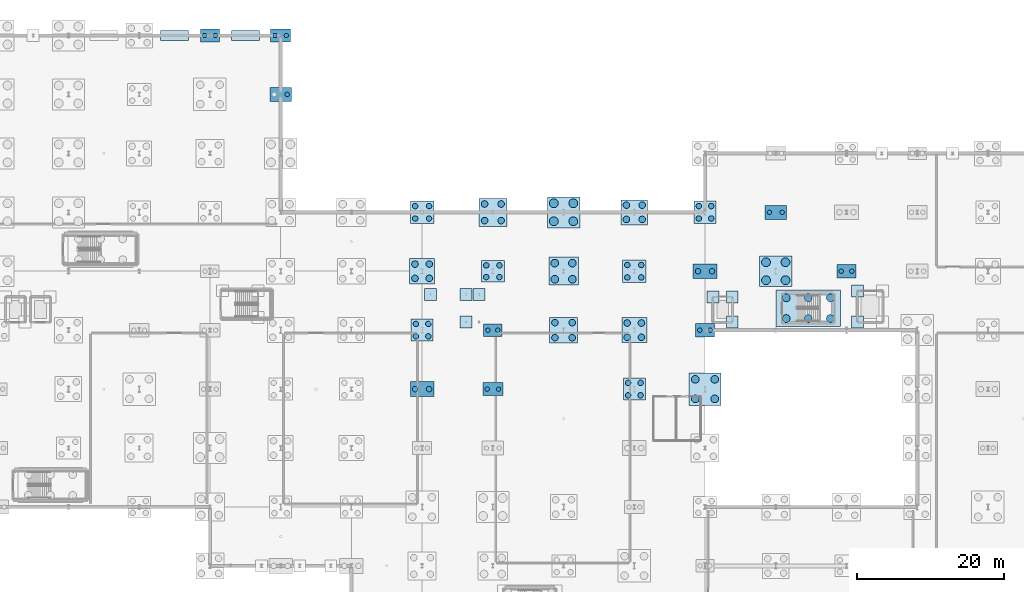
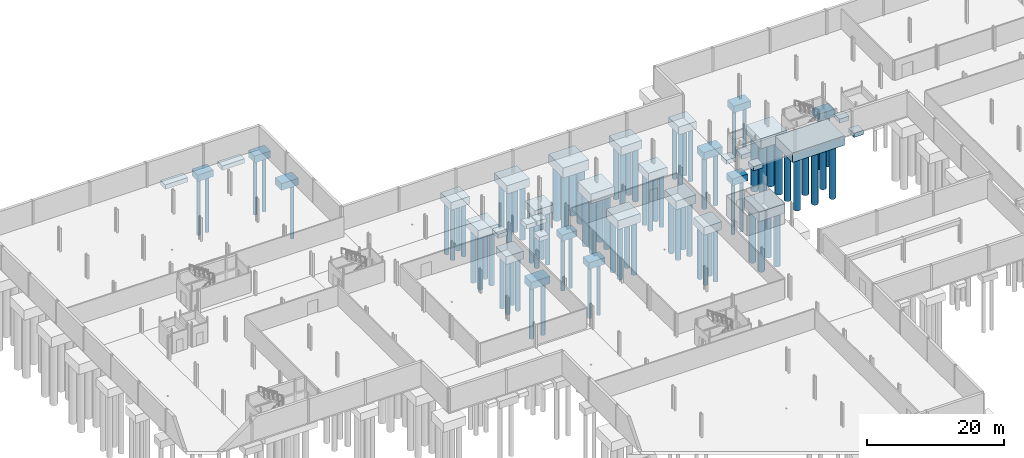
# One storey, part 5 of 47: 85 piles, 37 footings.
"""IFC4 building model written with IfcOpenShell, lengths in metres."""

from ifc_helpers import new_model, si_unit, direction, frame, origin, origin_2d, place, context, subcontext, project, spatial, rectangle, circle, extrude, material, material_profile, profile_set, type_object, element, save


model = new_model("IFC4")

# Units and contexts
model_context = context("Model", 3, precision=1e-05, world=origin(), true_north=direction((0.0, 1.0)))
body_context = subcontext(model_context, "Body", "Model", "MODEL_VIEW")
ifc_project = project(units=[si_unit("LENGTHUNIT", "METRE"), si_unit("AREAUNIT", "SQUARE_METRE"), si_unit("VOLUMEUNIT", "CUBIC_METRE"), si_unit("PLANEANGLEUNIT", "RADIAN"), si_unit("MASSUNIT", "GRAM", prefix="KILO")], contexts=[model_context])

# Site, building, storey
site_placement = place(None, origin())
site = spatial("IfcSite", under=ifc_project, at=site_placement, CompositionType="ELEMENT")
building_placement = place(site_placement, origin())
building = spatial("IfcBuilding", under=site, at=building_placement, Name="Alderhovde Museum", CompositionType="ELEMENT")
storey_placement = place(building_placement, frame((0.0, 0.0, -4.5)))
storey = spatial("IfcBuildingStorey", under=building, at=storey_placement, Name="B1", CompositionType="ELEMENT", Elevation=-4.5)

# Footings
ifc_material_1 = material(Name="Concrete C40/50", Category="concrete")
footing_type_1 = type_object("IfcFootingType", Name="PC-2500x1700x1100", PredefinedType="PILE_CAP", material=ifc_material_1)
footing_1_placement = place(storey_placement, frame((86.39990234375, 72.0, -1.5), z_axis=(0.0, 0.0, 1.0), x_axis=(1.0, 0.0, 0.0)))
element("IfcFooting", 1, at=footing_1_placement, inside=storey, type_object=footing_type_1, Name="Pile Cap at (86.4, 72.0)", PredefinedType="PILE_CAP", context=body_context, shape_type="SweptSolid", body=[
    extrude(rectangle(XDim=2.5, YDim=1.699951171875, at=origin_2d()), origin(), (0.0, 0.0, 1.0), 1.10009765625),
])
ifc_material_2 = material(Name="Concrete C40/50", Category="concrete")
footing_type_2 = type_object("IfcFootingType", Name="PC-2600x1800x1200", PredefinedType="PILE_CAP", material=ifc_material_2)
for number, where, z_axis, x_axis, name in (
    (2, (48.0, 112.0, -1.60009765625), (0.0, 0.0, 1.0), (1.0, 0.0, 0.0), "Pile Cap at (48.0, 112.0)"),
    (3, (115.199951171875, 72.0, -1.60009765625), (0.0, 0.0, 1.0), (1.0, 0.0, 0.0), "Pile Cap at (115.2, 72.0)"),
    (4, (134.39990234375, 80.0, -1.60009765625), (0.0, 0.0, 1.0), (1.0, 0.0, 0.0), "Pile Cap at (134.4, 80.0)"),
):
    element("IfcFooting", number, at=place(storey_placement, frame(where, z_axis=z_axis, x_axis=x_axis)), inside=storey, type_object=footing_type_2, Name=name, PredefinedType="PILE_CAP", context=body_context, shape_type="SweptSolid", body=[
        extrude(rectangle(XDim=2.60009765625, YDim=1.800048828125, at=origin_2d()), origin(), (0.0, 0.0, 1.0), 1.199951171875),
    ])
ifc_material_3 = material(Name="Concrete C40/50", Category="concrete")
footing_type_3 = type_object("IfcFootingType", Name="PC-2700x1800x1200", PredefinedType="PILE_CAP", material=ifc_material_3)
for number, where, z_axis, x_axis, name in (
    (5, (57.60009765625, 112.0, -1.60009765625), (0.0, 0.0, 1.0), (1.0, 0.0, 0.0), "Pile Cap at (57.6, 112.0)"),
    (6, (86.39990234375, 64.0, -1.60009765625), (0.0, 0.0, 1.0), (1.0, 0.0, 0.0), "Pile Cap at (86.4, 64.0)"),
):
    element("IfcFooting", number, at=place(storey_placement, frame(where, z_axis=z_axis, x_axis=x_axis)), inside=storey, type_object=footing_type_3, Name=name, PredefinedType="PILE_CAP", context=body_context, shape_type="SweptSolid", body=[
        extrude(rectangle(XDim=2.699951171875, YDim=1.800048828125, at=origin_2d()), origin(), (0.0, 0.0, 1.0), 1.199951171875),
    ])
ifc_material_4 = material(Name="Concrete C40/50", Category="concrete")
footing_type_4 = type_object("IfcFootingType", Name="PC-2900x1900x1200", PredefinedType="PILE_CAP", material=ifc_material_4)
for number, where, z_axis, x_axis, name in (
    (7, (57.60009765625, 104.0, -1.60009765625), (0.0, 0.0, 1.0), (1.0, 0.0, 0.0), "Pile Cap at (57.6, 104.0)"),
    (8, (124.800048828125, 88.0, -1.60009765625), (0.0, 0.0, 1.0), (1.0, 0.0, 0.0), "Pile Cap at (124.8, 88.0)"),
):
    element("IfcFooting", number, at=place(storey_placement, frame(where, z_axis=z_axis, x_axis=x_axis)), inside=storey, type_object=footing_type_4, Name=name, PredefinedType="PILE_CAP", context=body_context, shape_type="SweptSolid", body=[
        extrude(rectangle(XDim=2.89990234375, YDim=1.89990234375, at=origin_2d()), origin(), (0.0, 0.0, 1.0), 1.199951171875),
    ])
ifc_material_5 = material(Name="Concrete C40/50", Category="concrete")
footing_type_5 = type_object("IfcFootingType", Name="PC-3000x3000x1400", PredefinedType="PILE_CAP", material=ifc_material_5)
for number, where, z_axis, x_axis, name in (
    (9, (76.800048828125, 72.0, -1.800048828125), (0.0, 0.0, 1.0), (1.0, 0.0, 0.0), "Pile Cap at (76.8, 72.0)"),
    (10, (105.60009765625, 64.0, -1.800048828125), (0.0, 0.0, 1.0), (1.0, 0.0, 0.0), "Pile Cap at (105.6, 64.0)"),
    (11, (115.199951171875, 88.0, -1.800048828125), (0.0, 0.0, 1.0), (1.0, 0.0, 0.0), "Pile Cap at (115.2, 88.0)"),
):
    element("IfcFooting", number, at=place(storey_placement, frame(where, z_axis=z_axis, x_axis=x_axis)), inside=storey, type_object=footing_type_5, Name=name, PredefinedType="PILE_CAP", context=body_context, shape_type="SweptSolid", body=[
        extrude(rectangle(XDim=3.0, YDim=3.0, at=origin_2d()), origin(), (0.0, 0.0, 1.0), 1.39990234375),
    ])
ifc_material_6 = material(Name="Concrete C40/50", Category="concrete")
footing_type_6 = type_object("IfcFootingType", Name="PC-3100x2900x1350", PredefinedType="PILE_CAP", material=ifc_material_6)
footing_2_placement = place(storey_placement, frame((86.39990234375, 80.0, -1.75), z_axis=(0.0, 0.0, 1.0), x_axis=(1.0, 0.0, 0.0)))
element("IfcFooting", 12, at=footing_2_placement, inside=storey, type_object=footing_type_6, Name="Pile Cap at (86.4, 80.0)", PredefinedType="PILE_CAP", context=body_context, shape_type="SweptSolid", body=[
    extrude(rectangle(XDim=3.10009765625, YDim=2.89990234375, at=origin_2d()), origin(), (0.0, 0.0, 1.0), 1.35009765625),
])
ifc_material_7 = material(Name="Concrete C40/50", Category="concrete")
footing_type_7 = type_object("IfcFootingType", Name="PC-3200x2000x1300", PredefinedType="PILE_CAP", material=ifc_material_7)
for number, where, z_axis, x_axis, name in (
    (13, (76.800048828125, 64.0, -1.7001953125), (0.0, 0.0, 1.0), (1.0, 0.0, 0.0), "Pile Cap at (76.8, 64.0)"),
    (14, (115.199951171875, 80.0, -1.7001953125), (0.0, 0.0, 1.0), (1.0, 0.0, 0.0), "Pile Cap at (115.2, 80.0)"),
):
    element("IfcFooting", number, at=place(storey_placement, frame(where, z_axis=z_axis, x_axis=x_axis)), inside=storey, type_object=footing_type_7, Name=name, PredefinedType="PILE_CAP", context=body_context, shape_type="SweptSolid", body=[
        extrude(rectangle(XDim=3.199951171875, YDim=2.0, at=origin_2d()), origin(), (0.0, 0.0, 1.0), 1.300048828125),
    ])
ifc_material_8 = material(Name="Concrete C40/50", Category="concrete")
footing_type_8 = type_object("IfcFootingType", Name="PC-3200x3000x1400", PredefinedType="PILE_CAP", material=ifc_material_8)
for number, where, z_axis, x_axis, name in (
    (15, (76.800048828125, 88.0, -1.800048828125), (0.0, 0.0, 1.0), (1.0, 0.0, 0.0), "Pile Cap at (76.8, 88.0)"),
    (16, (105.60009765625, 80.0, -1.800048828125), (0.0, 0.0, 1.0), (1.0, 0.0, 0.0), "Pile Cap at (105.6, 80.0)"),
):
    element("IfcFooting", number, at=place(storey_placement, frame(where, z_axis=z_axis, x_axis=x_axis)), inside=storey, type_object=footing_type_8, Name=name, PredefinedType="PILE_CAP", context=body_context, shape_type="SweptSolid", body=[
        extrude(rectangle(XDim=3.199951171875, YDim=3.0, at=origin_2d()), origin(), (0.0, 0.0, 1.0), 1.39990234375),
    ])
ifc_material_9 = material(Name="Concrete C40/50", Category="concrete")
footing_type_9 = type_object("IfcFootingType", Name="PC-3400x3400x1500", PredefinedType="PILE_CAP", material=ifc_material_9)
for number, where, z_axis, x_axis, name in (
    (17, (76.800048828125, 80.0, -1.89990234375), (0.0, 0.0, 1.0), (1.0, 0.0, 0.0), "Pile Cap at (76.8, 80.0)"),
    (18, (105.60009765625, 72.0, -1.89990234375), (0.0, 0.0, 1.0), (1.0, 0.0, 0.0), "Pile Cap at (105.6, 72.0)"),
):
    element("IfcFooting", number, at=place(storey_placement, frame(where, z_axis=z_axis, x_axis=x_axis)), inside=storey, type_object=footing_type_9, Name=name, PredefinedType="PILE_CAP", context=body_context, shape_type="SweptSolid", body=[
        extrude(rectangle(XDim=3.39990234375, YDim=3.39990234375, at=origin_2d()), origin(), (0.0, 0.0, 1.0), 1.5),
    ])
ifc_material_10 = material(Name="Concrete C40/50", Category="concrete")
footing_type_10 = type_object("IfcFootingType", Name="PC-3600x3400x1500", PredefinedType="PILE_CAP", material=ifc_material_10)
footing_3_placement = place(storey_placement, frame((105.60009765625, 88.0, -1.89990234375), z_axis=(0.0, 0.0, 1.0), x_axis=(1.0, 0.0, 0.0)))
element("IfcFooting", 19, at=footing_3_placement, inside=storey, type_object=footing_type_10, Name="Pile Cap at (105.6, 88.0)", PredefinedType="PILE_CAP", context=body_context, shape_type="SweptSolid", body=[
    extrude(rectangle(XDim=3.60009765625, YDim=3.39990234375, at=origin_2d()), origin(), (0.0, 0.0, 1.0), 1.5),
])
ifc_material_11 = material(Name="Concrete C40/50", Category="concrete")
footing_type_11 = type_object("IfcFootingType", Name="PC-3800x3500x1600", PredefinedType="PILE_CAP", material=ifc_material_11)
footing_4_placement = place(storey_placement, frame((96.0, 72.0, -2.0), z_axis=(0.0, 0.0, 1.0), x_axis=(1.0, 0.0, 0.0)))
element("IfcFooting", 20, at=footing_4_placement, inside=storey, type_object=footing_type_11, Name="Pile Cap at (96.0, 72.0)", PredefinedType="PILE_CAP", context=body_context, shape_type="SweptSolid", body=[
    extrude(rectangle(XDim=3.800048828125, YDim=3.5, at=origin_2d()), origin(), (0.0, 0.0, 1.0), 1.60009765625),
])
ifc_material_12 = material(Name="Concrete C40/50", Category="concrete")
footing_type_12 = type_object("IfcFootingType", Name="PC-3800x3800x1450", PredefinedType="PILE_CAP", material=ifc_material_12)
footing_5_placement = place(storey_placement, frame((86.39990234375, 88.0, -1.85009765625), z_axis=(0.0, 0.0, 1.0), x_axis=(1.0, 0.0, 0.0)))
element("IfcFooting", 21, at=footing_5_placement, inside=storey, type_object=footing_type_12, Name="Pile Cap at (86.4, 88.0)", PredefinedType="PILE_CAP", context=body_context, shape_type="SweptSolid", body=[
    extrude(rectangle(XDim=3.800048828125, YDim=3.800048828125, at=origin_2d()), origin(), (0.0, 0.0, 1.0), 1.449951171875),
])
ifc_material_13 = material(Name="Concrete C40/50", Category="concrete")
footing_type_13 = type_object("IfcFootingType", Name="PC-4000x3800x1700", PredefinedType="PILE_CAP", material=ifc_material_13)
footing_6_placement = place(storey_placement, frame((96.0, 80.0, -2.10009765625), z_axis=(0.0, 0.0, 1.0), x_axis=(1.0, 0.0, 0.0)))
element("IfcFooting", 22, at=footing_6_placement, inside=storey, type_object=footing_type_13, Name="Pile Cap at (96.0, 80.0)", PredefinedType="PILE_CAP", context=body_context, shape_type="SweptSolid", body=[
    extrude(rectangle(XDim=4.0, YDim=3.800048828125, at=origin_2d()), origin(), (0.0, 0.0, 1.0), 1.699951171875),
])
ifc_material_14 = material(Name="Concrete C40/50", Category="concrete")
footing_type_14 = type_object("IfcFootingType", Name="PC-4400x4200x1800", PredefinedType="PILE_CAP", material=ifc_material_14)
for number, where, z_axis, x_axis, name in (
    (23, (96.0, 88.0, -2.2001953125), (0.0, 0.0, 1.0), (1.0, 0.0, 0.0), "Pile Cap at (96.0, 88.0)"),
    (24, (124.800048828125, 80.0, -2.2001953125), (0.0, 0.0, 1.0), (1.0, 0.0, 0.0), "Pile Cap at (124.8, 80.0)"),
):
    element("IfcFooting", number, at=place(storey_placement, frame(where, z_axis=z_axis, x_axis=x_axis)), inside=storey, type_object=footing_type_14, Name=name, PredefinedType="PILE_CAP", context=body_context, shape_type="SweptSolid", body=[
        extrude(rectangle(XDim=4.39990234375, YDim=4.199951171875, at=origin_2d()), origin(), (0.0, 0.0, 1.0), 1.800048828125),
    ])
ifc_material_15 = material(Name="Concrete C40/50", Category="concrete")
footing_type_15 = type_object("IfcFootingType", Name="PC-4400x4400x1650", PredefinedType="PILE_CAP", material=ifc_material_15)
footing_7_placement = place(storey_placement, frame((115.199951171875, 64.0, -2.050048828125), z_axis=(0.0, 0.0, 1.0), x_axis=(1.0, 0.0, 0.0)))
element("IfcFooting", 25, at=footing_7_placement, inside=storey, type_object=footing_type_15, Name="Pile Cap at (115.2, 64.0)", PredefinedType="PILE_CAP", context=body_context, shape_type="SweptSolid", body=[
    extrude(rectangle(XDim=4.39990234375, YDim=4.39990234375, at=origin_2d()), origin(), (0.0, 0.0, 1.0), 1.64990234375),
])
ifc_material_16 = material(Name="Concrete C40/50", Category="concrete")
footing_type_16 = type_object("IfcFootingType", Name="PC-CORE-8800x5000x1700", PredefinedType="PILE_CAP", material=ifc_material_16)
footing_8_placement = place(storey_placement, frame((129.219970703125, 74.97998046875, -2.10009765625), z_axis=(0.0, 0.0, 1.0), x_axis=(1.0, 0.0, 0.0)))
element("IfcFooting", 26, at=footing_8_placement, inside=storey, type_object=footing_type_16, Name="Core Pile Cap ST4", PredefinedType="PILE_CAP", context=body_context, shape_type="SweptSolid", body=[
    extrude(rectangle(XDim=8.800048828125, YDim=5.0, at=origin_2d()), origin(), (0.0, 0.0, 1.0), 1.699951171875),
])
ifc_material_17 = material(Name="Concrete C40/50", Category="concrete")
footing_type_17 = type_object("IfcFootingType", Name="PF-1600x1600x750", PredefinedType="PAD_FOOTING", material=ifc_material_17)
for number, where, z_axis, x_axis, name in (
    (27, (84.52001953125, 76.840087890625, -1.14990234375), (0.0, 0.0, 1.0), (1.0, 0.0, 0.0), "Stair ST5 Shaft Footing 3"),
    (28, (77.919921875, 76.840087890625, -1.14990234375), (0.0, 0.0, 1.0), (1.0, 0.0, 0.0), "Stair ST5 Shaft Footing 4"),
    (29, (82.760009765625, 73.1201171875, -1.14990234375), (0.0, 0.0, 1.0), (1.0, 0.0, 0.0), "Stair ST5 Shaft Footing 5"),
    (30, (82.760009765625, 76.840087890625, -1.14990234375), (0.0, 0.0, 1.0), (1.0, 0.0, 0.0), "Stair ST5 Shaft Footing 6"),
    (31, (118.89990234375, 73.10009765625, -1.14990234375), (0.0, 0.0, 1.0), (1.0, 0.0, 0.0), "Lift PL-03 Shaft Post Footing 2"),
    (32, (118.89990234375, 76.5, -1.14990234375), (0.0, 0.0, 1.0), (1.0, 0.0, 0.0), "Lift PL-03 Shaft Post Footing 3"),
    (33, (116.300048828125, 76.5, -1.14990234375), (0.0, 0.0, 1.0), (1.0, 0.0, 0.0), "Lift PL-03 Shaft Post Footing 4"),
    (34, (135.89990234375, 73.10009765625, -1.14990234375), (0.0, 0.0, 1.0), (1.0, 0.0, 0.0), "Lift GL-01 Shaft Post Footing 1"),
    (35, (135.89990234375, 77.300048828125, -1.14990234375), (0.0, 0.0, 1.0), (1.0, 0.0, 0.0), "Lift GL-01 Shaft Post Footing 4"),
):
    element("IfcFooting", number, at=place(storey_placement, frame(where, z_axis=z_axis, x_axis=x_axis)), inside=storey, type_object=footing_type_17, Name=name, PredefinedType="PAD_FOOTING", context=body_context, shape_type="SweptSolid", body=[
        extrude(rectangle(XDim=1.60009765625, YDim=1.60009765625, at=origin_2d()), origin(), (0.0, 0.0, 1.0), 0.75),
    ])

# Piles
ifc_material_18 = material(Name="Concrete C40/50", Category="concrete")
ifc_material_profile_1 = material_profile(ifc_material_18, circle(Radius=0.52490234375, at=origin_2d()), Name="PILE-D1050")
ifc_profile_set_1 = profile_set([ifc_material_profile_1], Name="Concrete C40/50")
pile_type_1 = type_object("IfcPileType", Name="PIL-D1050", PredefinedType="BORED", material=ifc_profile_set_1)
for number, where, z_axis, x_axis, name in (
    (36, (126.219970703125, 73.580078125, -2.0), (0.0, 0.0, -1.0), (1.0, 0.0, 0.0), "Core Bored Pile ST4-P1"),
    (37, (129.219970703125, 73.580078125, -2.0), (0.0, 0.0, -1.0), (1.0, 0.0, 0.0), "Core Bored Pile ST4-P2"),
    (38, (132.219970703125, 73.580078125, -2.0), (0.0, 0.0, -1.0), (1.0, 0.0, 0.0), "Core Bored Pile ST4-P3"),
    (39, (126.219970703125, 76.3798828125, -2.0), (0.0, 0.0, -1.0), (1.0, 0.0, 0.0), "Core Bored Pile ST4-P4"),
    (40, (129.219970703125, 76.3798828125, -2.0), (0.0, 0.0, -1.0), (1.0, 0.0, 0.0), "Core Bored Pile ST4-P5"),
    (41, (132.219970703125, 76.3798828125, -2.0), (0.0, 0.0, -1.0), (1.0, 0.0, 0.0), "Core Bored Pile ST4-P6"),
    (42, (94.804931640625, 78.905029296875, -2.0), (0.0, 0.0, -1.0), (1.0, 0.0, 0.0), "Bored Pile PC-0960-0800-P1"),
    (43, (97.195068359375, 78.905029296875, -2.0), (0.0, 0.0, -1.0), (1.0, 0.0, 0.0), "Bored Pile PC-0960-0800-P2"),
    (44, (94.804931640625, 81.094970703125, -2.0), (0.0, 0.0, -1.0), (1.0, 0.0, 0.0), "Bored Pile PC-0960-0800-P3"),
    (45, (97.195068359375, 81.094970703125, -2.0), (0.0, 0.0, -1.0), (1.0, 0.0, 0.0), "Bored Pile PC-0960-0800-P4"),
):
    element("IfcPile", number, at=place(storey_placement, frame(where, z_axis=z_axis, x_axis=x_axis)), inside=storey, type_object=pile_type_1, Name=name, PredefinedType="BORED", context=body_context, shape_type="SweptSolid", body=[
        extrude(circle(Radius=0.52490234375, at=origin_2d()), origin(), (0.0, 0.0, 1.0), 9.574951171875),
    ])
for number, where, z_axis, x_axis, name in (
    (46, (113.8798828125, 62.679931640625, -1.949951171875), (0.0, 0.0, -1.0), (1.0, 0.0, 0.0), "Bored Pile PC-1152-0640-P1"),
    (47, (116.52001953125, 62.679931640625, -1.949951171875), (0.0, 0.0, -1.0), (1.0, 0.0, 0.0), "Bored Pile PC-1152-0640-P2"),
    (48, (113.8798828125, 65.320068359375, -1.949951171875), (0.0, 0.0, -1.0), (1.0, 0.0, 0.0), "Bored Pile PC-1152-0640-P3"),
    (49, (116.52001953125, 65.320068359375, -1.949951171875), (0.0, 0.0, -1.0), (1.0, 0.0, 0.0), "Bored Pile PC-1152-0640-P4"),
):
    element("IfcPile", number, at=place(storey_placement, frame(where, z_axis=z_axis, x_axis=x_axis)), inside=storey, type_object=pile_type_1, Name=name, PredefinedType="BORED", context=body_context, shape_type="SweptSolid", body=[
        extrude(circle(Radius=0.52490234375, at=origin_2d()), origin(), (0.0, 0.0, 1.0), 9.625),
    ])
ifc_material_19 = material(Name="Concrete C40/50", Category="concrete")
ifc_material_profile_2 = material_profile(ifc_material_19, circle(Radius=0.60009765625, at=origin_2d()), Name="PILE-D1200")
ifc_profile_set_2 = profile_set([ifc_material_profile_2], Name="Concrete C40/50")
pile_type_2 = type_object("IfcPileType", Name="PIL-D1200", PredefinedType="BORED", material=ifc_profile_set_2)
for number, where, z_axis, x_axis, name in (
    (50, (94.679931640625, 86.780029296875, -2.10009765625), (0.0, 0.0, -1.0), (1.0, 0.0, 0.0), "Bored Pile PC-0960-0880-P1"),
    (51, (97.320068359375, 86.780029296875, -2.10009765625), (0.0, 0.0, -1.0), (1.0, 0.0, 0.0), "Bored Pile PC-0960-0880-P2"),
    (52, (94.679931640625, 89.219970703125, -2.10009765625), (0.0, 0.0, -1.0), (1.0, 0.0, 0.0), "Bored Pile PC-0960-0880-P3"),
    (53, (97.320068359375, 89.219970703125, -2.10009765625), (0.0, 0.0, -1.0), (1.0, 0.0, 0.0), "Bored Pile PC-0960-0880-P4"),
    (54, (123.47998046875, 78.780029296875, -2.10009765625), (0.0, 0.0, -1.0), (1.0, 0.0, 0.0), "Bored Pile PC-1248-0800-P1"),
    (55, (126.1201171875, 78.780029296875, -2.10009765625), (0.0, 0.0, -1.0), (1.0, 0.0, 0.0), "Bored Pile PC-1248-0800-P2"),
    (56, (123.47998046875, 81.219970703125, -2.10009765625), (0.0, 0.0, -1.0), (1.0, 0.0, 0.0), "Bored Pile PC-1248-0800-P3"),
    (57, (126.1201171875, 81.219970703125, -2.10009765625), (0.0, 0.0, -1.0), (1.0, 0.0, 0.0), "Bored Pile PC-1248-0800-P4"),
):
    element("IfcPile", number, at=place(storey_placement, frame(where, z_axis=z_axis, x_axis=x_axis)), inside=storey, type_object=pile_type_2, Name=name, PredefinedType="BORED", context=body_context, shape_type="SweptSolid", body=[
        extrude(circle(Radius=0.60009765625, at=origin_2d()), origin(), (0.0, 0.0, 1.0), 9.699951171875),
    ])
ifc_material_20 = material(Name="Concrete C40/50", Category="concrete")
ifc_material_profile_3 = material_profile(ifc_material_20, circle(Radius=0.300048828125, at=origin_2d()), Name="PILE-D600")
ifc_profile_set_3 = profile_set([ifc_material_profile_3], Name="Concrete C40/50")
pile_type_3 = type_object("IfcPileType", Name="PIL-D600", PredefinedType="BORED", material=ifc_profile_set_3)
for number, where, z_axis, x_axis, name in (
    (58, (47.280029296875, 112.0, -1.5), (0.0, 0.0, -1.0), (1.0, 0.0, 0.0), "Bored Pile PC-0480-1120-P1"),
    (59, (48.719970703125, 112.0, -1.5), (0.0, 0.0, -1.0), (1.0, 0.0, 0.0), "Bored Pile PC-0480-1120-P2"),
):
    element("IfcPile", number, at=place(storey_placement, frame(where, z_axis=z_axis, x_axis=x_axis)), inside=storey, type_object=pile_type_3, Name=name, PredefinedType="BORED", context=body_context, shape_type="SweptSolid", body=[
        extrude(circle(Radius=0.300048828125, at=origin_2d()), origin(), (0.0, 0.0, 1.0), 10.263916015625),
    ])
for number, where, z_axis, x_axis, name in (
    (60, (58.469970703125, 104.0, -1.5), (0.0, 0.0, -1.0), (1.0, 0.0, 0.0), "Bored Pile PC-0576-1040-P2"),
    (61, (56.830078125, 112.0, -1.5), (0.0, 0.0, -1.0), (1.0, 0.0, 0.0), "Bored Pile PC-0576-1120-P1"),
    (62, (58.3701171875, 112.0, -1.5), (0.0, 0.0, -1.0), (1.0, 0.0, 0.0), "Bored Pile PC-0576-1120-P2"),
):
    element("IfcPile", number, at=place(storey_placement, frame(where, z_axis=z_axis, x_axis=x_axis)), inside=storey, type_object=pile_type_3, Name=name, PredefinedType="BORED", context=body_context, shape_type="SweptSolid", body=[
        extrude(circle(Radius=0.300048828125, at=origin_2d()), origin(), (0.0, 0.0, 1.0), 9.95703125),
    ])
for number, where, z_axis, x_axis, name in (
    (63, (85.6298828125, 64.0, -1.5), (0.0, 0.0, -1.0), (1.0, 0.0, 0.0), "Bored Pile PC-0864-0640-P1"),
    (64, (87.169921875, 64.0, -1.5), (0.0, 0.0, -1.0), (1.0, 0.0, 0.0), "Bored Pile PC-0864-0640-P2"),
):
    element("IfcPile", number, at=place(storey_placement, frame(where, z_axis=z_axis, x_axis=x_axis)), inside=storey, type_object=pile_type_3, Name=name, PredefinedType="BORED", context=body_context, shape_type="SweptSolid", body=[
        extrude(circle(Radius=0.300048828125, at=origin_2d()), origin(), (0.0, 0.0, 1.0), 9.39990234375),
    ])
for number, where, z_axis, x_axis, name in (
    (65, (85.72998046875, 72.0, -1.39990234375), (0.0, 0.0, -1.0), (1.0, 0.0, 0.0), "Bored Pile PC-0864-0720-P1"),
    (66, (87.070068359375, 72.0, -1.39990234375), (0.0, 0.0, -1.0), (1.0, 0.0, 0.0), "Bored Pile PC-0864-0720-P2"),
):
    element("IfcPile", number, at=place(storey_placement, frame(where, z_axis=z_axis, x_axis=x_axis)), inside=storey, type_object=pile_type_3, Name=name, PredefinedType="BORED", context=body_context, shape_type="SweptSolid", body=[
        extrude(circle(Radius=0.300048828125, at=origin_2d()), origin(), (0.0, 0.0, 1.0), 9.5),
    ])
for number, where, z_axis, x_axis, name in (
    (67, (114.47998046875, 72.0, -1.5), (0.0, 0.0, -1.0), (1.0, 0.0, 0.0), "Bored Pile PC-1152-0720-P1"),
    (68, (115.919921875, 72.0, -1.5), (0.0, 0.0, -1.0), (1.0, 0.0, 0.0), "Bored Pile PC-1152-0720-P2"),
    (69, (123.929931640625, 88.0, -1.5), (0.0, 0.0, -1.0), (1.0, 0.0, 0.0), "Bored Pile PC-1248-0880-P1"),
    (70, (125.669921875, 88.0, -1.5), (0.0, 0.0, -1.0), (1.0, 0.0, 0.0), "Bored Pile PC-1248-0880-P2"),
    (71, (133.679931640625, 80.0, -1.5), (0.0, 0.0, -1.0), (1.0, 0.0, 0.0), "Bored Pile PC-1344-0800-P1"),
    (72, (135.1201171875, 80.0, -1.5), (0.0, 0.0, -1.0), (1.0, 0.0, 0.0), "Bored Pile PC-1344-0800-P2"),
):
    element("IfcPile", number, at=place(storey_placement, frame(where, z_axis=z_axis, x_axis=x_axis)), inside=storey, type_object=pile_type_3, Name=name, PredefinedType="BORED", context=body_context, shape_type="SweptSolid", body=[
        extrude(circle(Radius=0.300048828125, at=origin_2d()), origin(), (0.0, 0.0, 1.0), 9.39990234375),
    ])
ifc_material_21 = material(Name="Concrete C40/50", Category="concrete")
ifc_material_profile_4 = material_profile(ifc_material_21, circle(Radius=0.375, at=origin_2d()), Name="PILE-D750")
ifc_profile_set_4 = profile_set([ifc_material_profile_4], Name="Concrete C40/50")
pile_type_4 = type_object("IfcPileType", Name="PIL-D750", PredefinedType="BORED", material=ifc_profile_set_4)
for number, where, z_axis, x_axis, name in (
    (73, (75.85009765625, 64.0, -1.60009765625), (0.0, 0.0, -1.0), (1.0, 0.0, 0.0), "Bored Pile PC-0768-0640-P1"),
    (74, (77.75, 64.0, -1.60009765625), (0.0, 0.0, -1.0), (1.0, 0.0, 0.0), "Bored Pile PC-0768-0640-P2"),
):
    element("IfcPile", number, at=place(storey_placement, frame(where, z_axis=z_axis, x_axis=x_axis)), inside=storey, type_object=pile_type_4, Name=name, PredefinedType="BORED", context=body_context, shape_type="SweptSolid", body=[
        extrude(circle(Radius=0.375, at=origin_2d()), origin(), (0.0, 0.0, 1.0), 9.52490234375),
    ])
for number, where, z_axis, x_axis, name in (
    (75, (75.955078125, 71.155029296875, -1.699951171875), (0.0, 0.0, -1.0), (1.0, 0.0, 0.0), "Bored Pile PC-0768-0720-P1"),
    (76, (77.64501953125, 71.155029296875, -1.699951171875), (0.0, 0.0, -1.0), (1.0, 0.0, 0.0), "Bored Pile PC-0768-0720-P2"),
    (77, (75.955078125, 72.844970703125, -1.699951171875), (0.0, 0.0, -1.0), (1.0, 0.0, 0.0), "Bored Pile PC-0768-0720-P3"),
    (78, (77.64501953125, 72.844970703125, -1.699951171875), (0.0, 0.0, -1.0), (1.0, 0.0, 0.0), "Bored Pile PC-0768-0720-P4"),
    (79, (75.85498046875, 87.155029296875, -1.699951171875), (0.0, 0.0, -1.0), (1.0, 0.0, 0.0), "Bored Pile PC-0768-0880-P1"),
    (80, (77.7451171875, 87.155029296875, -1.699951171875), (0.0, 0.0, -1.0), (1.0, 0.0, 0.0), "Bored Pile PC-0768-0880-P2"),
    (81, (75.85498046875, 88.844970703125, -1.699951171875), (0.0, 0.0, -1.0), (1.0, 0.0, 0.0), "Bored Pile PC-0768-0880-P3"),
    (82, (77.7451171875, 88.844970703125, -1.699951171875), (0.0, 0.0, -1.0), (1.0, 0.0, 0.0), "Bored Pile PC-0768-0880-P4"),
):
    element("IfcPile", number, at=place(storey_placement, frame(where, z_axis=z_axis, x_axis=x_axis)), inside=storey, type_object=pile_type_4, Name=name, PredefinedType="BORED", context=body_context, shape_type="SweptSolid", body=[
        extrude(circle(Radius=0.375, at=origin_2d()), origin(), (0.0, 0.0, 1.0), 9.425048828125),
    ])
for number, where, z_axis, x_axis, name in (
    (83, (85.5048828125, 79.205078125, -1.64990234375), (0.0, 0.0, -1.0), (1.0, 0.0, 0.0), "Bored Pile PC-0864-0800-P1"),
    (84, (87.294921875, 79.205078125, -1.64990234375), (0.0, 0.0, -1.0), (1.0, 0.0, 0.0), "Bored Pile PC-0864-0800-P2"),
    (85, (85.5048828125, 80.794921875, -1.64990234375), (0.0, 0.0, -1.0), (1.0, 0.0, 0.0), "Bored Pile PC-0864-0800-P3"),
    (86, (87.294921875, 80.794921875, -1.64990234375), (0.0, 0.0, -1.0), (1.0, 0.0, 0.0), "Bored Pile PC-0864-0800-P4"),
):
    element("IfcPile", number, at=place(storey_placement, frame(where, z_axis=z_axis, x_axis=x_axis)), inside=storey, type_object=pile_type_4, Name=name, PredefinedType="BORED", context=body_context, shape_type="SweptSolid", body=[
        extrude(circle(Radius=0.375, at=origin_2d()), origin(), (0.0, 0.0, 1.0), 9.47509765625),
    ])
for number, where, z_axis, x_axis, name in (
    (87, (104.7548828125, 63.155029296875, -1.699951171875), (0.0, 0.0, -1.0), (1.0, 0.0, 0.0), "Bored Pile PC-1056-0640-P1"),
    (88, (106.445068359375, 63.155029296875, -1.699951171875), (0.0, 0.0, -1.0), (1.0, 0.0, 0.0), "Bored Pile PC-1056-0640-P2"),
    (89, (104.7548828125, 64.844970703125, -1.699951171875), (0.0, 0.0, -1.0), (1.0, 0.0, 0.0), "Bored Pile PC-1056-0640-P3"),
    (90, (106.445068359375, 64.844970703125, -1.699951171875), (0.0, 0.0, -1.0), (1.0, 0.0, 0.0), "Bored Pile PC-1056-0640-P4"),
    (91, (104.655029296875, 79.155029296875, -1.699951171875), (0.0, 0.0, -1.0), (1.0, 0.0, 0.0), "Bored Pile PC-1056-0800-P1"),
    (92, (106.544921875, 79.155029296875, -1.699951171875), (0.0, 0.0, -1.0), (1.0, 0.0, 0.0), "Bored Pile PC-1056-0800-P2"),
    (93, (104.655029296875, 80.844970703125, -1.699951171875), (0.0, 0.0, -1.0), (1.0, 0.0, 0.0), "Bored Pile PC-1056-0800-P3"),
    (94, (106.544921875, 80.844970703125, -1.699951171875), (0.0, 0.0, -1.0), (1.0, 0.0, 0.0), "Bored Pile PC-1056-0800-P4"),
):
    element("IfcPile", number, at=place(storey_placement, frame(where, z_axis=z_axis, x_axis=x_axis)), inside=storey, type_object=pile_type_4, Name=name, PredefinedType="BORED", context=body_context, shape_type="SweptSolid", body=[
        extrude(circle(Radius=0.375, at=origin_2d()), origin(), (0.0, 0.0, 1.0), 9.425048828125),
    ])
for number, where, z_axis, x_axis, name in (
    (95, (114.25, 80.0, -1.60009765625), (0.0, 0.0, -1.0), (1.0, 0.0, 0.0), "Bored Pile PC-1152-0800-P1"),
    (96, (116.14990234375, 80.0, -1.60009765625), (0.0, 0.0, -1.0), (1.0, 0.0, 0.0), "Bored Pile PC-1152-0800-P2"),
):
    element("IfcPile", number, at=place(storey_placement, frame(where, z_axis=z_axis, x_axis=x_axis)), inside=storey, type_object=pile_type_4, Name=name, PredefinedType="BORED", context=body_context, shape_type="SweptSolid", body=[
        extrude(circle(Radius=0.375, at=origin_2d()), origin(), (0.0, 0.0, 1.0), 9.52490234375),
    ])
for number, where, z_axis, x_axis, name in (
    (97, (114.35498046875, 87.155029296875, -1.699951171875), (0.0, 0.0, -1.0), (1.0, 0.0, 0.0), "Bored Pile PC-1152-0880-P1"),
    (98, (116.044921875, 87.155029296875, -1.699951171875), (0.0, 0.0, -1.0), (1.0, 0.0, 0.0), "Bored Pile PC-1152-0880-P2"),
    (99, (114.35498046875, 88.844970703125, -1.699951171875), (0.0, 0.0, -1.0), (1.0, 0.0, 0.0), "Bored Pile PC-1152-0880-P3"),
    (100, (116.044921875, 88.844970703125, -1.699951171875), (0.0, 0.0, -1.0), (1.0, 0.0, 0.0), "Bored Pile PC-1152-0880-P4"),
):
    element("IfcPile", number, at=place(storey_placement, frame(where, z_axis=z_axis, x_axis=x_axis)), inside=storey, type_object=pile_type_4, Name=name, PredefinedType="BORED", context=body_context, shape_type="SweptSolid", body=[
        extrude(circle(Radius=0.375, at=origin_2d()), origin(), (0.0, 0.0, 1.0), 9.425048828125),
    ])
ifc_material_22 = material(Name="Concrete C40/50", Category="concrete")
ifc_material_profile_5 = material_profile(ifc_material_22, circle(Radius=0.449951171875, at=origin_2d()), Name="PILE-D900")
ifc_profile_set_5 = profile_set([ifc_material_profile_5], Name="Concrete C40/50")
pile_type_5 = type_object("IfcPileType", Name="PIL-D900", PredefinedType="BORED", material=ifc_profile_set_5)
for number, where, z_axis, x_axis, name in (
    (101, (75.830078125, 79.030029296875, -1.800048828125), (0.0, 0.0, -1.0), (1.0, 0.0, 0.0), "Bored Pile PC-0768-0800-P1"),
    (102, (77.77001953125, 79.030029296875, -1.800048828125), (0.0, 0.0, -1.0), (1.0, 0.0, 0.0), "Bored Pile PC-0768-0800-P2"),
    (103, (75.830078125, 80.969970703125, -1.800048828125), (0.0, 0.0, -1.0), (1.0, 0.0, 0.0), "Bored Pile PC-0768-0800-P3"),
    (104, (77.77001953125, 80.969970703125, -1.800048828125), (0.0, 0.0, -1.0), (1.0, 0.0, 0.0), "Bored Pile PC-0768-0800-P4"),
):
    element("IfcPile", number, at=place(storey_placement, frame(where, z_axis=z_axis, x_axis=x_axis)), inside=storey, type_object=pile_type_5, Name=name, PredefinedType="BORED", context=body_context, shape_type="SweptSolid", body=[
        extrude(circle(Radius=0.449951171875, at=origin_2d()), origin(), (0.0, 0.0, 1.0), 9.550048828125),
    ])
for number, where, z_axis, x_axis, name in (
    (105, (85.27490234375, 86.875, -1.75), (0.0, 0.0, -1.0), (1.0, 0.0, 0.0), "Bored Pile PC-0864-0880-P1"),
    (106, (87.52490234375, 86.875, -1.75), (0.0, 0.0, -1.0), (1.0, 0.0, 0.0), "Bored Pile PC-0864-0880-P2"),
    (107, (85.27490234375, 89.125, -1.75), (0.0, 0.0, -1.0), (1.0, 0.0, 0.0), "Bored Pile PC-0864-0880-P3"),
    (108, (87.52490234375, 89.125, -1.75), (0.0, 0.0, -1.0), (1.0, 0.0, 0.0), "Bored Pile PC-0864-0880-P4"),
):
    element("IfcPile", number, at=place(storey_placement, frame(where, z_axis=z_axis, x_axis=x_axis)), inside=storey, type_object=pile_type_5, Name=name, PredefinedType="BORED", context=body_context, shape_type="SweptSolid", body=[
        extrude(circle(Radius=0.449951171875, at=origin_2d()), origin(), (0.0, 0.0, 1.0), 9.60009765625),
    ])
for number, where, z_axis, x_axis, name in (
    (109, (94.830078125, 70.97998046875, -1.89990234375), (0.0, 0.0, -1.0), (1.0, 0.0, 0.0), "Bored Pile PC-0960-0720-P1"),
    (110, (97.169921875, 70.97998046875, -1.89990234375), (0.0, 0.0, -1.0), (1.0, 0.0, 0.0), "Bored Pile PC-0960-0720-P2"),
    (111, (94.830078125, 73.02001953125, -1.89990234375), (0.0, 0.0, -1.0), (1.0, 0.0, 0.0), "Bored Pile PC-0960-0720-P3"),
    (112, (97.169921875, 73.02001953125, -1.89990234375), (0.0, 0.0, -1.0), (1.0, 0.0, 0.0), "Bored Pile PC-0960-0720-P4"),
):
    element("IfcPile", number, at=place(storey_placement, frame(where, z_axis=z_axis, x_axis=x_axis)), inside=storey, type_object=pile_type_5, Name=name, PredefinedType="BORED", context=body_context, shape_type="SweptSolid", body=[
        extrude(circle(Radius=0.449951171875, at=origin_2d()), origin(), (0.0, 0.0, 1.0), 9.449951171875),
    ])
for number, where, z_axis, x_axis, name in (
    (113, (104.6298828125, 71.030029296875, -1.800048828125), (0.0, 0.0, -1.0), (1.0, 0.0, 0.0), "Bored Pile PC-1056-0720-P1"),
    (114, (106.570068359375, 71.030029296875, -1.800048828125), (0.0, 0.0, -1.0), (1.0, 0.0, 0.0), "Bored Pile PC-1056-0720-P2"),
    (115, (104.6298828125, 72.969970703125, -1.800048828125), (0.0, 0.0, -1.0), (1.0, 0.0, 0.0), "Bored Pile PC-1056-0720-P3"),
    (116, (106.570068359375, 72.969970703125, -1.800048828125), (0.0, 0.0, -1.0), (1.0, 0.0, 0.0), "Bored Pile PC-1056-0720-P4"),
    (117, (104.530029296875, 87.030029296875, -1.800048828125), (0.0, 0.0, -1.0), (1.0, 0.0, 0.0), "Bored Pile PC-1056-0880-P1"),
    (118, (106.669921875, 87.030029296875, -1.800048828125), (0.0, 0.0, -1.0), (1.0, 0.0, 0.0), "Bored Pile PC-1056-0880-P2"),
    (119, (104.530029296875, 88.969970703125, -1.800048828125), (0.0, 0.0, -1.0), (1.0, 0.0, 0.0), "Bored Pile PC-1056-0880-P3"),
    (120, (106.669921875, 88.969970703125, -1.800048828125), (0.0, 0.0, -1.0), (1.0, 0.0, 0.0), "Bored Pile PC-1056-0880-P4"),
):
    element("IfcPile", number, at=place(storey_placement, frame(where, z_axis=z_axis, x_axis=x_axis)), inside=storey, type_object=pile_type_5, Name=name, PredefinedType="BORED", context=body_context, shape_type="SweptSolid", body=[
        extrude(circle(Radius=0.449951171875, at=origin_2d()), origin(), (0.0, 0.0, 1.0), 9.550048828125),
    ])

# Footings
ifc_material_23 = material(Name="Concrete C40/50", Category="concrete")
footing_type_18 = type_object("IfcFootingType", Name="SF-RET-1400x800", PredefinedType="STRIP_FOOTING", material=ifc_material_23)
for number, where, z_axis, x_axis, name in (
    (121, (43.199951171875, 112.0, -1.2001953125), (0.0, 0.0, 1.0), (1.0, 0.0, 0.0), "Retaining Strip Footing SF-B1-N2"),
    (122, (52.800048828125, 112.0, -1.2001953125), (0.0, 0.0, 1.0), (1.0, 0.0, 0.0), "Retaining Strip Footing SF-B1-N3"),
):
    element("IfcFooting", number, at=place(storey_placement, frame(where, z_axis=z_axis, x_axis=x_axis)), inside=storey, type_object=footing_type_18, Name=name, PredefinedType="STRIP_FOOTING", context=body_context, shape_type="SweptSolid", body=[
        extrude(rectangle(XDim=3.800048828125, YDim=1.39990234375, at=origin_2d()), origin(), (0.0, 0.0, 1.0), 0.800048828125),
    ])

save(model, "model.ifc")
